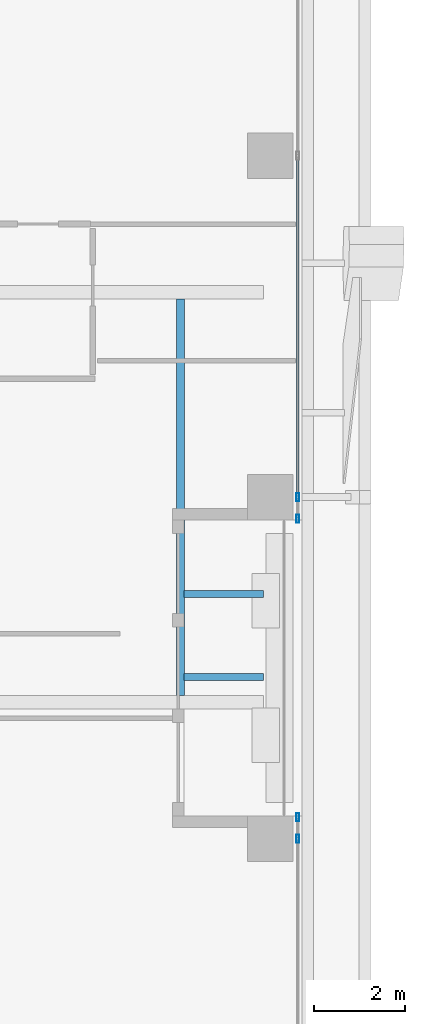
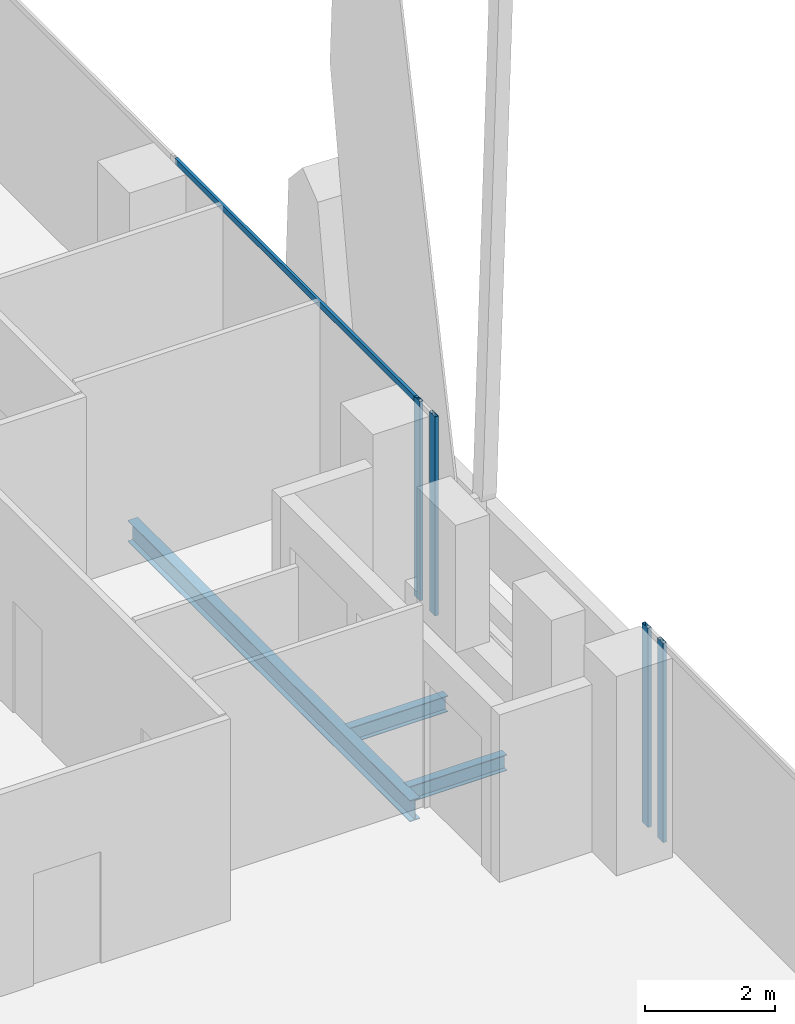
# One storey, part 15 of 43: 5 members, 3 beams, 2 elements without a shape of their own.
"""IFC4 building model written with IfcOpenShell, lengths in metres."""

from ifc_helpers import new_model, si_unit, direction, frame, origin, origin_2d, place, context, subcontext, project, spatial, hollow_rectangle, i_section, extrude, source, transform, mapped, material, material_profile, profile_set, type_object, element, aggregate, save


model = new_model("IFC4")

# Units and contexts
model_context = context("Model", 3, precision=1e-05, world=origin(), true_north=direction((0.0, 1.0)))
body_context = subcontext(model_context, "Body", "Model", "MODEL_VIEW")
ifc_project = project(units=[si_unit("LENGTHUNIT", "METRE"), si_unit("AREAUNIT", "SQUARE_METRE"), si_unit("VOLUMEUNIT", "CUBIC_METRE"), si_unit("PLANEANGLEUNIT", "RADIAN"), si_unit("MASSUNIT", "GRAM", prefix="KILO")], contexts=[model_context])

# Site, building, storey
site_placement = place(None, origin())
site = spatial("IfcSite", under=ifc_project, at=site_placement, CompositionType="ELEMENT")
building_placement = place(site_placement, origin())
building = spatial("IfcBuilding", under=site, at=building_placement, Name="Khomas Fold Tower", CompositionType="ELEMENT")
storey_placement = place(building_placement, frame((0.0, 0.0, 164.699951171875)))
storey = spatial("IfcBuildingStorey", under=building, at=storey_placement, Name="L35", CompositionType="ELEMENT", Elevation=164.699951171875)

# Beams
ifc_material_1 = material(Name="Steel S355", Category="steel")
ifc_material_profile_1 = material_profile(ifc_material_1, i_section(OverallWidth=0.14990234375, OverallDepth=0.300048828125, WebThickness=0.007080078125, FlangeThickness=0.0107421875, at=origin_2d()), Name="IPE 300")
ifc_profile_set_1 = profile_set([ifc_material_profile_1], Name="Steel S355")
beam_type_1 = type_object("IfcBeamType", Name="IPE 300 beam BB2", PredefinedType="BEAM", material=ifc_profile_set_1)
shared_shape_1 = source(origin(), body_context, "Body", "SweptSolid", [
    extrude(i_section(OverallWidth=0.14990234375, OverallDepth=0.300048828125, WebThickness=0.007080078125, FlangeThickness=0.0107421875, at=origin_2d()), origin(), (0.0, 0.0, 1.0), 1.75),
])
for number, where, z_axis, x_axis, name in (
    (1, (48.39990234375, 23.050048828125, -0.39990234375), (1.0, 0.0, 0.0), (0.0, 1.0, 0.0), "BB2"),
    (2, (48.39990234375, 24.875, -0.39990234375), (1.0, 0.0, 0.0), (0.0, 1.0, 0.0), "BB2"),
):
    element("IfcBeam", number, at=place(storey_placement, frame(where, z_axis=z_axis, x_axis=x_axis)), inside=storey, type_object=beam_type_1, Name=name, PredefinedType="BEAM", context=body_context, shape_type="MappedRepresentation", body=[
        mapped(shared_shape_1, transform((0.0, 0.0, 0.0))),
    ])
ifc_material_2 = material(Name="Steel S355", Category="steel")
ifc_material_profile_2 = material_profile(ifc_material_2, i_section(OverallWidth=0.179931640625, OverallDepth=0.39990234375, WebThickness=0.008544921875, FlangeThickness=0.013427734375, at=origin_2d()), Name="IPE 400")
ifc_profile_set_2 = profile_set([ifc_material_profile_2], Name="Steel S355")
beam_type_2 = type_object("IfcBeamType", Name="IPE 400 beam BB5", PredefinedType="BEAM", material=ifc_profile_set_2)
shared_shape_2 = source(origin(), body_context, "Body", "SweptSolid", [
    extrude(i_section(OverallWidth=0.179931640625, OverallDepth=0.39990234375, WebThickness=0.008544921875, FlangeThickness=0.013427734375, at=origin_2d()), origin(), (0.0, 0.0, 1.0), 8.7001953125),
])
beam_placement = place(storey_placement, frame((48.324951171875, 22.64990234375, -0.449951171875), z_axis=(0.0, 1.0, 0.0), x_axis=(-1.0, 0.0, 0.0)))
element("IfcBeam", 3, at=beam_placement, inside=storey, type_object=beam_type_2, Name="BB5", PredefinedType="BEAM", context=body_context, shape_type="MappedRepresentation", body=[
    mapped(shared_shape_2, transform((0.0, 0.0, 0.0))),
])

# Curtain wall, members
ifc_material_3 = material(Name="Aluminium framed double glazing", Category="aluminium")
curtain_wall_type = type_object("IfcCurtainWallType", Name="SK-Unitised clear-glass wall, office floors CW2", PredefinedType="NOTDEFINED", material=ifc_material_3)
curtain_wall_1_placement = place(storey_placement, origin())
curtain_wall_1 = element("IfcCurtainWall", 4, at=curtain_wall_1_placement, inside=storey, type_object=curtain_wall_type, Name="CW2 run L35 08-0", PredefinedType="NOTDEFINED")
ifc_material_4 = material(Name="Aluminium", Category="aluminium")
ifc_material_profile_3 = material_profile(ifc_material_4, hollow_rectangle(XDim=0.06005859375, YDim=0.179931640625, WallThickness=0.00390625, at=origin_2d()), Name="SK-Unitised clear-glass wall, office floors mullion CW2-M")
ifc_profile_set_3 = profile_set([ifc_material_profile_3], Name="Aluminium")
member_type_1 = type_object("IfcMemberType", Name="SK-Unitised clear-glass wall, office floors mullion CW2-M", PredefinedType="MULLION", material=ifc_profile_set_3)
shared_shape_3 = source(origin(), body_context, "Body", "SweptSolid", [
    extrude(hollow_rectangle(XDim=0.06005859375, YDim=0.179931640625, WallThickness=0.00390625, at=origin_2d()), origin(), (0.0, 0.0, 1.0), 3.75),
])
member_1_placement = place(storey_placement, frame((50.89990234375, 19.5, 0.0), z_axis=(0.0, 0.0, 1.0), x_axis=(-1.0, 0.0, 0.0)))
member_1 = element("IfcMember", 5, at=member_1_placement, type_object=member_type_1, Name="CW2 mullion 4", PredefinedType="MULLION", context=body_context, shape_type="MappedRepresentation", body=[
    mapped(shared_shape_3, transform((0.0, 0.0, 0.0))),
])
member_2_placement = place(storey_placement, frame((50.89990234375, 19.969970703125, 0.0), z_axis=(0.0, 0.0, 1.0), x_axis=(-1.0, 0.0, 0.0)))
member_2 = element("IfcMember", 6, at=member_2_placement, type_object=member_type_1, Name="CW2 mullion 5", PredefinedType="MULLION", context=body_context, shape_type="MappedRepresentation", body=[
    mapped(shared_shape_3, transform((0.0, 0.0, 0.0))),
])
aggregate(curtain_wall_1, [member_1, member_2])

curtain_wall_2_placement = place(storey_placement, origin())
curtain_wall_2 = element("IfcCurtainWall", 7, at=curtain_wall_2_placement, inside=storey, type_object=curtain_wall_type, Name="CW2 run L35 08-1", PredefinedType="NOTDEFINED")
member_3_placement = place(storey_placement, frame((50.89990234375, 26.530029296875, 0.0), z_axis=(0.0, 0.0, 1.0), x_axis=(-1.0, 0.0, 0.0)))
member_3 = element("IfcMember", 8, at=member_3_placement, type_object=member_type_1, Name="CW2 mullion 1", PredefinedType="MULLION", context=body_context, shape_type="MappedRepresentation", body=[
    mapped(shared_shape_3, transform((0.0, 0.0, 0.0))),
])
member_4_placement = place(storey_placement, frame((50.89990234375, 27.0, 0.0), z_axis=(0.0, 0.0, 1.0), x_axis=(-1.0, 0.0, 0.0)))
member_4 = element("IfcMember", 9, at=member_4_placement, type_object=member_type_1, Name="CW2 mullion 2", PredefinedType="MULLION", context=body_context, shape_type="MappedRepresentation", body=[
    mapped(shared_shape_3, transform((0.0, 0.0, 0.0))),
])
ifc_material_5 = material(Name="Aluminium", Category="aluminium")
ifc_material_profile_4 = material_profile(ifc_material_5, hollow_rectangle(XDim=0.050048828125, YDim=0.110107421875, WallThickness=0.00390625, at=origin_2d()), Name="SK-Unitised clear-glass wall, office floors transom CW2-T")
ifc_profile_set_4 = profile_set([ifc_material_profile_4], Name="Aluminium")
member_type_2 = type_object("IfcMemberType", Name="SK-Unitised clear-glass wall, office floors transom CW2-T", PredefinedType="USERDEFINED", material=ifc_profile_set_4)
shared_shape_4 = source(origin(), body_context, "Body", "SweptSolid", [
    extrude(hollow_rectangle(XDim=0.050048828125, YDim=0.110107421875, WallThickness=0.00390625, at=origin_2d()), origin(), (0.0, 0.0, 1.0), 7.43994140625),
])
member_5_placement = place(storey_placement, frame((50.89990234375, 27.030029296875, 3.695068359375), z_axis=(0.0, 1.0, 0.0), x_axis=(-1.0, 0.0, 0.0)))
member_5 = element("IfcMember", 10, at=member_5_placement, type_object=member_type_2, Name="CW2 transom 2", ObjectType="TRANSOM", PredefinedType="USERDEFINED", context=body_context, shape_type="MappedRepresentation", body=[
    mapped(shared_shape_4, transform((0.0, 0.0, 0.0))),
])
aggregate(curtain_wall_2, [member_3, member_4, member_5])

save(model, "model.ifc")
